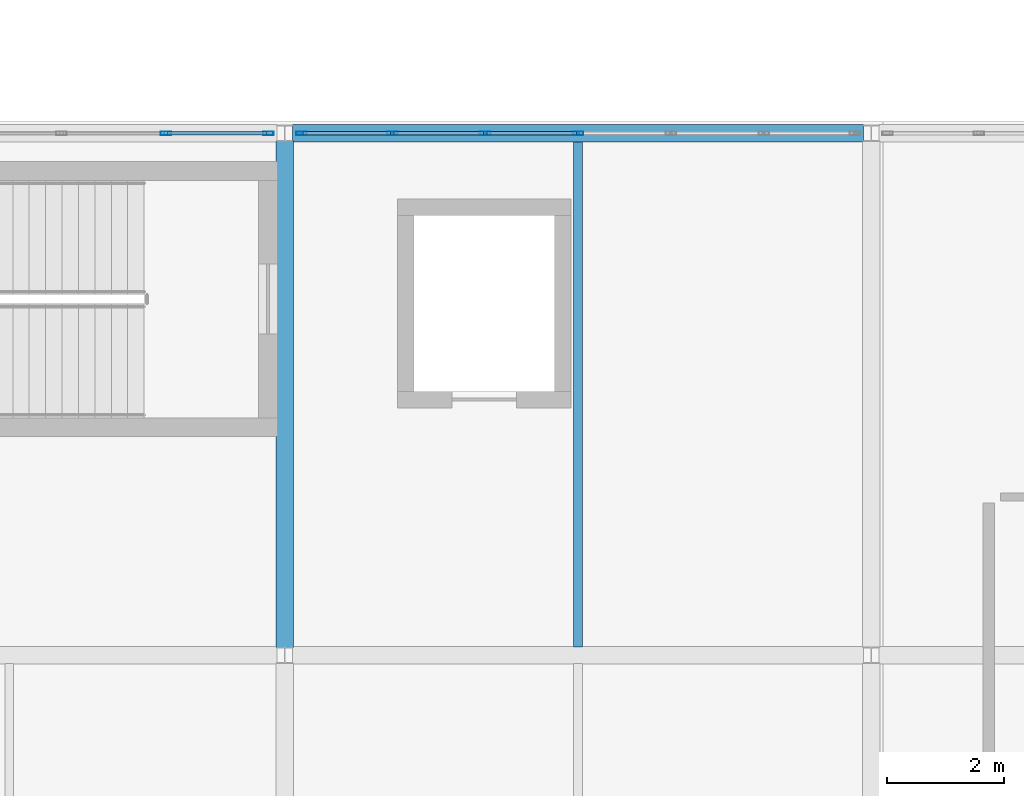
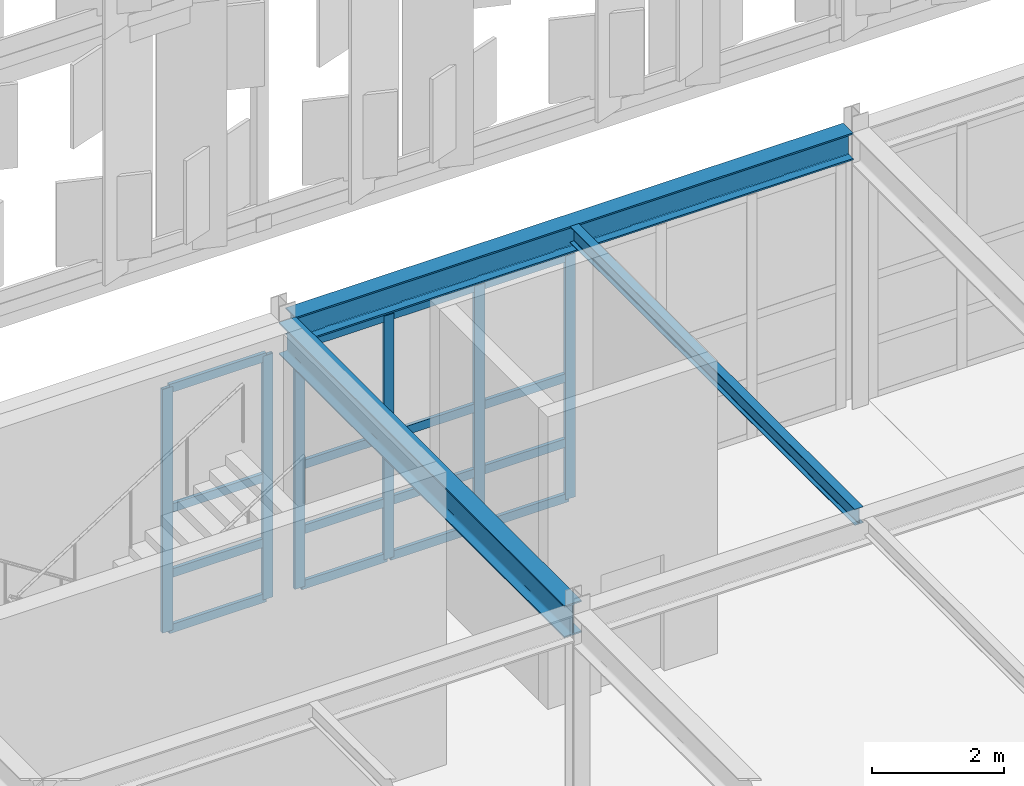
# One storey, part 147 of 239: 22 members, 3 beams, 2 elements without a shape of their own.
"""IFC4 building model written with IfcOpenShell, lengths in metres."""

from ifc_helpers import new_model, si_unit, direction, frame, origin, origin_2d, place, context, subcontext, project, spatial, hollow_rectangle, i_section, extrude, material, material_profile, profile_set, type_object, element, aggregate, save


model = new_model("IFC4")

# Units and contexts
model_context = context("Model", 3, precision=1e-05, world=origin(), true_north=direction((0.0, 1.0)))
body_context = subcontext(model_context, "Body", "Model", "MODEL_VIEW")
ifc_project = project(units=[si_unit("LENGTHUNIT", "METRE"), si_unit("AREAUNIT", "SQUARE_METRE"), si_unit("VOLUMEUNIT", "CUBIC_METRE"), si_unit("PLANEANGLEUNIT", "RADIAN"), si_unit("MASSUNIT", "GRAM", prefix="KILO")], contexts=[model_context])

# Site, building, storey
site_placement = place(None, origin())
site = spatial("IfcSite", under=ifc_project, at=site_placement, CompositionType="ELEMENT")
building_placement = place(site_placement, origin())
building = spatial("IfcBuilding", under=site, at=building_placement, Name="Kaldris Quays Convention Centre", CompositionType="ELEMENT")
storey_placement = place(building_placement, frame((0.0, 0.0, 11.39990234375)))
storey = spatial("IfcBuildingStorey", under=building, at=storey_placement, Name="L02", CompositionType="ELEMENT", Elevation=11.39990234375)

# Curtain wall, members
ifc_material_1 = material(Name="Anodized aluminium AW-6060 and triple glazing", Category="aluminium")
curtain_wall_type = type_object("IfcCurtainWallType", Name="UNITISED CURTAIN WALL CW02", PredefinedType="NOTDEFINED", material=ifc_material_1)
curtain_wall_1_placement = place(storey_placement, origin())
curtain_wall_1 = element("IfcCurtainWall", 1, at=curtain_wall_1_placement, inside=storey, type_object=curtain_wall_type, Name="L02 Unitised Curtain Wall CW02 202", PredefinedType="NOTDEFINED")
ifc_material_2 = material(Name="Anodized aluminium AW-6060", Category="aluminium")
ifc_material_profile_1 = material_profile(ifc_material_2, hollow_rectangle(XDim=0.06005859375, YDim=0.179931640625, WallThickness=0.0048828125, at=origin_2d()), Name="RHS 180x60x5")
ifc_profile_set_1 = profile_set([ifc_material_profile_1], Name="Anodized aluminium AW-6060")
member_type_1 = type_object("IfcMemberType", Name="CURTAIN MULLION CWM2", PredefinedType="MULLION", material=ifc_profile_set_1)
member_1_placement = place(storey_placement, frame((171.969970703125, 37.39990234375, 0.0), z_axis=(0.0, 0.0, 1.0), x_axis=(0.0, 1.0, 0.0)))
member_1 = element("IfcMember", 2, at=member_1_placement, type_object=member_type_1, Name="CW02 mullion 5", PredefinedType="MULLION", context=body_context, shape_type="SweptSolid", body=[
    extrude(hollow_rectangle(XDim=0.06005859375, YDim=0.179931640625, WallThickness=0.0048828125, at=origin_2d()), origin(), (0.0, 0.0, 1.0), 4.498046875),
])
member_2_placement = place(storey_placement, frame((173.719970703125, 37.39990234375, 0.0), z_axis=(0.0, 0.0, 1.0), x_axis=(0.0, 1.0, 0.0)))
member_2 = element("IfcMember", 3, at=member_2_placement, type_object=member_type_1, Name="CW02 mullion 6", PredefinedType="MULLION", context=body_context, shape_type="SweptSolid", body=[
    extrude(hollow_rectangle(XDim=0.06005859375, YDim=0.179931640625, WallThickness=0.0048828125, at=origin_2d()), origin(), (0.0, 0.0, 1.0), 4.498046875),
])

curtain_wall_2_placement = place(storey_placement, origin())
curtain_wall_2 = element("IfcCurtainWall", 4, at=curtain_wall_2_placement, inside=storey, type_object=curtain_wall_type, Name="L02 Unitised Curtain Wall CW02 204", PredefinedType="NOTDEFINED")
member_3_placement = place(storey_placement, frame((174.280029296875, 37.39990234375, 0.0), z_axis=(0.0, 0.0, 1.0), x_axis=(0.0, 1.0, 0.0)))
member_3 = element("IfcMember", 5, at=member_3_placement, type_object=member_type_1, Name="CW02 mullion 1", PredefinedType="MULLION", context=body_context, shape_type="SweptSolid", body=[
    extrude(hollow_rectangle(XDim=0.06005859375, YDim=0.179931640625, WallThickness=0.0048828125, at=origin_2d()), origin(), (0.0, 0.0, 1.0), 4.498046875),
])
member_4_placement = place(storey_placement, frame((175.833251953125, 37.39990234375, 0.0), z_axis=(0.0, 0.0, 1.0), x_axis=(0.0, 1.0, 0.0)))
member_4 = element("IfcMember", 6, at=member_4_placement, type_object=member_type_1, Name="CW02 mullion 2", PredefinedType="MULLION", context=body_context, shape_type="SweptSolid", body=[
    extrude(hollow_rectangle(XDim=0.06005859375, YDim=0.179931640625, WallThickness=0.0048828125, at=origin_2d()), origin(), (0.0, 0.0, 1.0), 4.498046875),
])
member_5_placement = place(storey_placement, frame((177.416748046875, 37.39990234375, 0.0), z_axis=(0.0, 0.0, 1.0), x_axis=(0.0, 1.0, 0.0)))
member_5 = element("IfcMember", 7, at=member_5_placement, type_object=member_type_1, Name="CW02 mullion 3", PredefinedType="MULLION", context=body_context, shape_type="SweptSolid", body=[
    extrude(hollow_rectangle(XDim=0.06005859375, YDim=0.179931640625, WallThickness=0.0048828125, at=origin_2d()), origin(), (0.0, 0.0, 1.0), 4.498046875),
])
member_6_placement = place(storey_placement, frame((179.0, 37.39990234375, 0.0), z_axis=(0.0, 0.0, 1.0), x_axis=(0.0, 1.0, 0.0)))
member_6 = element("IfcMember", 8, at=member_6_placement, type_object=member_type_1, Name="CW02 mullion 4", PredefinedType="MULLION", context=body_context, shape_type="SweptSolid", body=[
    extrude(hollow_rectangle(XDim=0.06005859375, YDim=0.179931640625, WallThickness=0.0048828125, at=origin_2d()), origin(), (0.0, 0.0, 1.0), 4.498046875),
])

# Member
ifc_material_profile_2 = material_profile(ifc_material_2, hollow_rectangle(XDim=0.06005859375, YDim=0.159912109375, WallThickness=0.00390625, at=origin_2d()), Name="RHS 160x60x4")
ifc_profile_set_2 = profile_set([ifc_material_profile_2], Name="Anodized aluminium AW-6060")
member_type_2 = type_object("IfcMemberType", Name="CURTAIN TRANSOM CWT2", PredefinedType="USERDEFINED", material=ifc_profile_set_2)
member_7_placement = place(storey_placement, frame((172.0, 37.39990234375, 0.030029296875), z_axis=(1.0, 0.0, 0.0), x_axis=(0.0, 1.0, 0.0)))
member_7 = element("IfcMember", 9, at=member_7_placement, type_object=member_type_2, Name="CW02 transom 5.1", ObjectType="TRANSOM", PredefinedType="USERDEFINED", context=body_context, shape_type="SweptSolid", body=[
    extrude(hollow_rectangle(XDim=0.06005859375, YDim=0.159912109375, WallThickness=0.00390625, at=origin_2d()), origin(), (0.0, 0.0, 1.0), 1.68994140625),
])

member_8_placement = place(storey_placement, frame((172.0, 37.39990234375, 1.050048828125), z_axis=(1.0, 0.0, 0.0), x_axis=(0.0, 1.0, 0.0)))
member_8 = element("IfcMember", 10, at=member_8_placement, type_object=member_type_2, Name="CW02 transom 5.2", ObjectType="TRANSOM", PredefinedType="USERDEFINED", context=body_context, shape_type="SweptSolid", body=[
    extrude(hollow_rectangle(XDim=0.06005859375, YDim=0.159912109375, WallThickness=0.00390625, at=origin_2d()), origin(), (0.0, 0.0, 1.0), 1.68994140625),
])

member_9_placement = place(storey_placement, frame((172.0, 37.39990234375, 2.2490234375), z_axis=(1.0, 0.0, 0.0), x_axis=(0.0, 1.0, 0.0)))
member_9 = element("IfcMember", 11, at=member_9_placement, type_object=member_type_2, Name="CW02 transom 5.3", ObjectType="TRANSOM", PredefinedType="USERDEFINED", context=body_context, shape_type="SweptSolid", body=[
    extrude(hollow_rectangle(XDim=0.06005859375, YDim=0.159912109375, WallThickness=0.00390625, at=origin_2d()), origin(), (0.0, 0.0, 1.0), 1.68994140625),
])

member_10_placement = place(storey_placement, frame((172.0, 37.39990234375, 4.468017578125), z_axis=(1.0, 0.0, 0.0), x_axis=(0.0, 1.0, 0.0)))
member_10 = element("IfcMember", 12, at=member_10_placement, type_object=member_type_2, Name="CW02 transom 5.4", ObjectType="TRANSOM", PredefinedType="USERDEFINED", context=body_context, shape_type="SweptSolid", body=[
    extrude(hollow_rectangle(XDim=0.06005859375, YDim=0.159912109375, WallThickness=0.00390625, at=origin_2d()), origin(), (0.0, 0.0, 1.0), 1.68994140625),
])

aggregate(curtain_wall_1, [member_1, member_2, member_7, member_8, member_9, member_10])

member_11_placement = place(storey_placement, frame((174.31005859375, 37.39990234375, 0.030029296875), z_axis=(1.0, 0.0, 0.0), x_axis=(0.0, 1.0, 0.0)))
member_11 = element("IfcMember", 13, at=member_11_placement, type_object=member_type_2, Name="CW02 transom 1.1", ObjectType="TRANSOM", PredefinedType="USERDEFINED", context=body_context, shape_type="SweptSolid", body=[
    extrude(hollow_rectangle(XDim=0.06005859375, YDim=0.159912109375, WallThickness=0.00390625, at=origin_2d()), origin(), (0.0, 0.0, 1.0), 1.4931640625),
])

member_12_placement = place(storey_placement, frame((174.31005859375, 37.39990234375, 1.050048828125), z_axis=(1.0, 0.0, 0.0), x_axis=(0.0, 1.0, 0.0)))
member_12 = element("IfcMember", 14, at=member_12_placement, type_object=member_type_2, Name="CW02 transom 1.2", ObjectType="TRANSOM", PredefinedType="USERDEFINED", context=body_context, shape_type="SweptSolid", body=[
    extrude(hollow_rectangle(XDim=0.06005859375, YDim=0.159912109375, WallThickness=0.00390625, at=origin_2d()), origin(), (0.0, 0.0, 1.0), 1.4931640625),
])

member_13_placement = place(storey_placement, frame((174.31005859375, 37.39990234375, 2.2490234375), z_axis=(1.0, 0.0, 0.0), x_axis=(0.0, 1.0, 0.0)))
member_13 = element("IfcMember", 15, at=member_13_placement, type_object=member_type_2, Name="CW02 transom 1.3", ObjectType="TRANSOM", PredefinedType="USERDEFINED", context=body_context, shape_type="SweptSolid", body=[
    extrude(hollow_rectangle(XDim=0.06005859375, YDim=0.159912109375, WallThickness=0.00390625, at=origin_2d()), origin(), (0.0, 0.0, 1.0), 1.4931640625),
])

member_14_placement = place(storey_placement, frame((174.31005859375, 37.39990234375, 4.468017578125), z_axis=(1.0, 0.0, 0.0), x_axis=(0.0, 1.0, 0.0)))
member_14 = element("IfcMember", 16, at=member_14_placement, type_object=member_type_2, Name="CW02 transom 1.4", ObjectType="TRANSOM", PredefinedType="USERDEFINED", context=body_context, shape_type="SweptSolid", body=[
    extrude(hollow_rectangle(XDim=0.06005859375, YDim=0.159912109375, WallThickness=0.00390625, at=origin_2d()), origin(), (0.0, 0.0, 1.0), 1.4931640625),
])

member_15_placement = place(storey_placement, frame((175.86328125, 37.39990234375, 0.030029296875), z_axis=(1.0, 0.0, 0.0), x_axis=(0.0, 1.0, 0.0)))
member_15 = element("IfcMember", 17, at=member_15_placement, type_object=member_type_2, Name="CW02 transom 2.1", ObjectType="TRANSOM", PredefinedType="USERDEFINED", context=body_context, shape_type="SweptSolid", body=[
    extrude(hollow_rectangle(XDim=0.06005859375, YDim=0.159912109375, WallThickness=0.00390625, at=origin_2d()), origin(), (0.0, 0.0, 1.0), 1.5234375),
])

member_16_placement = place(storey_placement, frame((175.86328125, 37.39990234375, 1.050048828125), z_axis=(1.0, 0.0, 0.0), x_axis=(0.0, 1.0, 0.0)))
member_16 = element("IfcMember", 18, at=member_16_placement, type_object=member_type_2, Name="CW02 transom 2.2", ObjectType="TRANSOM", PredefinedType="USERDEFINED", context=body_context, shape_type="SweptSolid", body=[
    extrude(hollow_rectangle(XDim=0.06005859375, YDim=0.159912109375, WallThickness=0.00390625, at=origin_2d()), origin(), (0.0, 0.0, 1.0), 1.5234375),
])

member_17_placement = place(storey_placement, frame((175.86328125, 37.39990234375, 2.2490234375), z_axis=(1.0, 0.0, 0.0), x_axis=(0.0, 1.0, 0.0)))
member_17 = element("IfcMember", 19, at=member_17_placement, type_object=member_type_2, Name="CW02 transom 2.3", ObjectType="TRANSOM", PredefinedType="USERDEFINED", context=body_context, shape_type="SweptSolid", body=[
    extrude(hollow_rectangle(XDim=0.06005859375, YDim=0.159912109375, WallThickness=0.00390625, at=origin_2d()), origin(), (0.0, 0.0, 1.0), 1.5234375),
])

member_18_placement = place(storey_placement, frame((175.86328125, 37.39990234375, 4.468017578125), z_axis=(1.0, 0.0, 0.0), x_axis=(0.0, 1.0, 0.0)))
member_18 = element("IfcMember", 20, at=member_18_placement, type_object=member_type_2, Name="CW02 transom 2.4", ObjectType="TRANSOM", PredefinedType="USERDEFINED", context=body_context, shape_type="SweptSolid", body=[
    extrude(hollow_rectangle(XDim=0.06005859375, YDim=0.159912109375, WallThickness=0.00390625, at=origin_2d()), origin(), (0.0, 0.0, 1.0), 1.5234375),
])

member_19_placement = place(storey_placement, frame((177.44677734375, 37.39990234375, 0.030029296875), z_axis=(1.0, 0.0, 0.0), x_axis=(0.0, 1.0, 0.0)))
member_19 = element("IfcMember", 21, at=member_19_placement, type_object=member_type_2, Name="CW02 transom 3.1", ObjectType="TRANSOM", PredefinedType="USERDEFINED", context=body_context, shape_type="SweptSolid", body=[
    extrude(hollow_rectangle(XDim=0.06005859375, YDim=0.159912109375, WallThickness=0.00390625, at=origin_2d()), origin(), (0.0, 0.0, 1.0), 1.523193359375),
])

member_20_placement = place(storey_placement, frame((177.44677734375, 37.39990234375, 1.050048828125), z_axis=(1.0, 0.0, 0.0), x_axis=(0.0, 1.0, 0.0)))
member_20 = element("IfcMember", 22, at=member_20_placement, type_object=member_type_2, Name="CW02 transom 3.2", ObjectType="TRANSOM", PredefinedType="USERDEFINED", context=body_context, shape_type="SweptSolid", body=[
    extrude(hollow_rectangle(XDim=0.06005859375, YDim=0.159912109375, WallThickness=0.00390625, at=origin_2d()), origin(), (0.0, 0.0, 1.0), 1.523193359375),
])

member_21_placement = place(storey_placement, frame((177.44677734375, 37.39990234375, 2.2490234375), z_axis=(1.0, 0.0, 0.0), x_axis=(0.0, 1.0, 0.0)))
member_21 = element("IfcMember", 23, at=member_21_placement, type_object=member_type_2, Name="CW02 transom 3.3", ObjectType="TRANSOM", PredefinedType="USERDEFINED", context=body_context, shape_type="SweptSolid", body=[
    extrude(hollow_rectangle(XDim=0.06005859375, YDim=0.159912109375, WallThickness=0.00390625, at=origin_2d()), origin(), (0.0, 0.0, 1.0), 1.523193359375),
])

member_22_placement = place(storey_placement, frame((177.44677734375, 37.39990234375, 4.468017578125), z_axis=(1.0, 0.0, 0.0), x_axis=(0.0, 1.0, 0.0)))
member_22 = element("IfcMember", 24, at=member_22_placement, type_object=member_type_2, Name="CW02 transom 3.4", ObjectType="TRANSOM", PredefinedType="USERDEFINED", context=body_context, shape_type="SweptSolid", body=[
    extrude(hollow_rectangle(XDim=0.06005859375, YDim=0.159912109375, WallThickness=0.00390625, at=origin_2d()), origin(), (0.0, 0.0, 1.0), 1.523193359375),
])

aggregate(curtain_wall_2, [member_3, member_4, member_5, member_6, member_11, member_12, member_13, member_14, member_15, member_16, member_17, member_18, member_19, member_20, member_21, member_22])

# Beams
ifc_material_3 = material(Name="Steel S355J2", Category="steel")
ifc_material_profile_3 = material_profile(ifc_material_3, i_section(OverallWidth=0.300048828125, OverallDepth=0.5, WebThickness=0.014404296875, FlangeThickness=0.028076171875, FilletRadius=0.027099609375, at=origin_2d()), Name="HEB 500")
ifc_profile_set_3 = profile_set([ifc_material_profile_3], Name="Steel S355J2")
beam_type_1 = type_object("IfcBeamType", Name="STRUCTURAL BEAM BM06", PredefinedType="BEAM", material=ifc_profile_set_3)
beam_1_placement = place(storey_placement, frame((174.134033203125, 37.39990234375, 4.863037109375), z_axis=(1.0, 0.0, 0.0), x_axis=(0.0, 1.0, 0.0)))
element("IfcBeam", 25, at=beam_1_placement, inside=storey, type_object=beam_type_1, Name="L02 Girder BM06 13", PredefinedType="BEAM", context=body_context, shape_type="SweptSolid", body=[
    extrude(i_section(OverallWidth=0.300048828125, OverallDepth=0.5, WebThickness=0.014404296875, FlangeThickness=0.028076171875, FilletRadius=0.027099609375, at=origin_2d()), origin(), (0.0, 0.0, 1.0), 9.73193359375),
])
ifc_material_profile_4 = material_profile(ifc_material_3, i_section(OverallWidth=0.300048828125, OverallDepth=0.590087890625, WebThickness=0.012939453125, FlangeThickness=0.02490234375, FilletRadius=0.027099609375, at=origin_2d()), Name="HEA 600")
ifc_profile_set_4 = profile_set([ifc_material_profile_4], Name="Steel S355J2")
beam_type_2 = type_object("IfcBeamType", Name="STRUCTURAL BEAM BM08", PredefinedType="BEAM", material=ifc_profile_set_4)
beam_2_placement = place(storey_placement, frame((174.0, 28.634033203125, 4.818115234375), z_axis=(0.0, 1.0, 0.0), x_axis=(-1.0, 0.0, 0.0)))
element("IfcBeam", 26, at=beam_2_placement, inside=storey, type_object=beam_type_2, Name="L02 Girder BM08 21", PredefinedType="BEAM", context=body_context, shape_type="SweptSolid", body=[
    extrude(i_section(OverallWidth=0.300048828125, OverallDepth=0.590087890625, WebThickness=0.012939453125, FlangeThickness=0.02490234375, FilletRadius=0.027099609375, at=origin_2d()), origin(), (0.0, 0.0, 1.0), 8.632080078125),
])
ifc_material_profile_5 = material_profile(ifc_material_3, i_section(OverallWidth=0.14990234375, OverallDepth=0.300048828125, WebThickness=0.007080078125, FlangeThickness=0.0107421875, FilletRadius=0.014892578125, at=origin_2d()), Name="IPE 300")
ifc_profile_set_5 = profile_set([ifc_material_profile_5], Name="Steel S355J2")
beam_type_3 = type_object("IfcBeamType", Name="STRUCTURAL BEAM JT04", PredefinedType="JOIST", material=ifc_profile_set_5)
beam_3_placement = place(storey_placement, frame((179.0, 28.64404296875, 4.963134765625), z_axis=(0.0, 1.0, 0.0), x_axis=(-1.0, 0.0, 0.0)))
element("IfcBeam", 27, at=beam_3_placement, inside=storey, type_object=beam_type_3, Name="L02 Secondary Joist JT04 6", PredefinedType="JOIST", context=body_context, shape_type="SweptSolid", body=[
    extrude(i_section(OverallWidth=0.14990234375, OverallDepth=0.300048828125, WebThickness=0.007080078125, FlangeThickness=0.0107421875, FilletRadius=0.014892578125, at=origin_2d()), origin(), (0.0, 0.0, 1.0), 8.612060546875),
])

save(model, "model.ifc")
